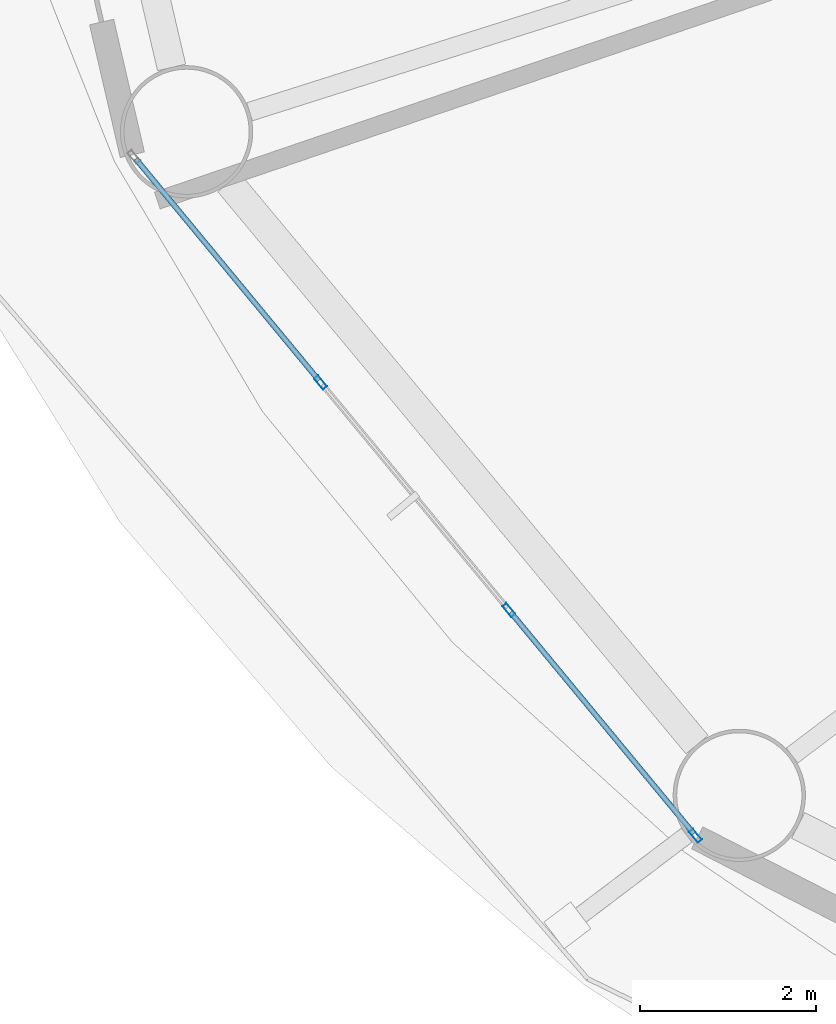
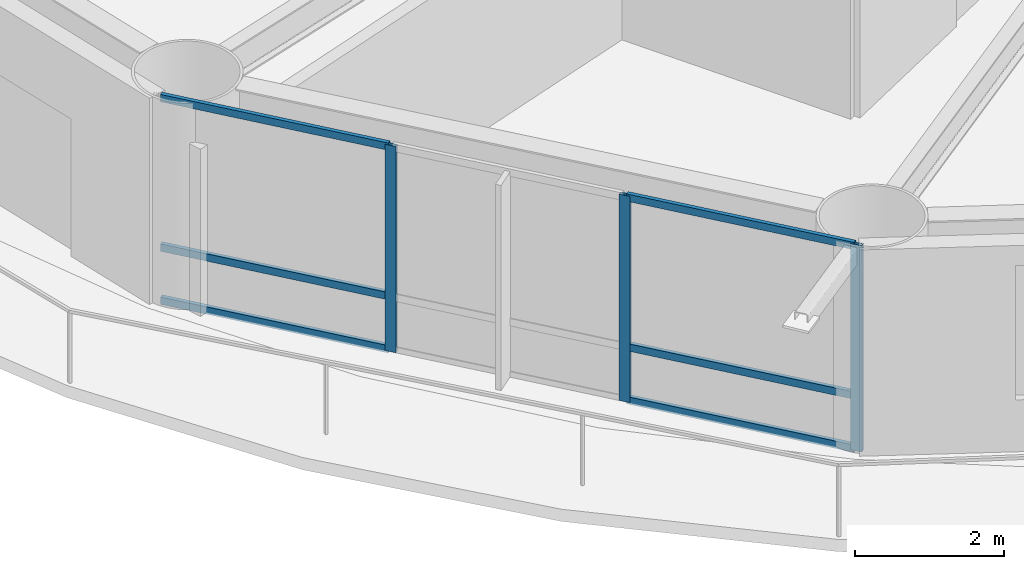
# One storey, part 2 of 28: 9 members, 1 element without a shape of its own.
"""IFC4 building model written with IfcOpenShell, lengths in metres."""

import ifcopenshell
import ifcopenshell.guid

model = None  # the IFC model being written
_history = None  # IfcOwnerHistory: only IFC2X3 demands one
_inside = {}  # id of a spatial element -> (the spatial element, [elements in it])
_under = {}  # id of a project, library or spatial element -> (it, [spatial elements below it])
_declared = {}  # id of a project -> (the project, [libraries it declares])
_typed = {}  # id of a type object -> (the type object, [elements of that type])
_made_of = {}  # id of a material, layer set ... -> (it, [elements and type objects made of it])


def new_model(schema):
    """Start an empty IFC model of exactly this schema.

    Asked for "IFC4X3", IfcOpenShell would pick the latest addendum, in which some entities
    have other attributes; the version numbers below select the first issue.
    IFC2X3 requires an IfcOwnerHistory on every rooted entity: one is made here for all.
    """
    global model, _history
    if schema == "IFC4X3":
        model = ifcopenshell.file(schema_version=(4, 3, 0, 0))
    else:
        model = ifcopenshell.file(schema=schema)
    _inside.clear()
    _under.clear()
    _declared.clear()
    _typed.clear()
    _made_of.clear()
    _history = None
    if model.schema == "IFC2X3":
        org = make("IfcOrganization", Name="unknown")
        user = make(
            "IfcPersonAndOrganization",
            ThePerson=make("IfcPerson", FamilyName="unknown"),
            TheOrganization=org,
        )
        app = make(
            "IfcApplication",
            ApplicationDeveloper=org,
            Version="unknown",
            ApplicationFullName="unknown",
            ApplicationIdentifier="unknown",
        )
        _history = make(
            "IfcOwnerHistory",
            OwningUser=user,
            OwningApplication=app,
            ChangeAction="ADDED",
            CreationDate=0,
        )
    return model


def make(cls, **values):
    """One entity of the class cls with the attributes given. An attribute that is None is left unset."""
    return model.create_entity(
        cls, **{name: value for name, value in values.items() if value is not None}
    )


def rooted(cls, **values):
    """An entity with a GlobalId (a new one), such as an element, a storey or a relation."""
    return make(cls, GlobalId=ifcopenshell.guid.new(), OwnerHistory=_history, **values)


def si_unit(unit_type, name, prefix=None):
    """IfcSIUnit, for example si_unit("LENGTHUNIT", "METRE", prefix="MILLI")."""
    return make("IfcSIUnit", UnitType=unit_type, Prefix=prefix, Name=name)


def assignment(units):
    """IfcUnitAssignment: the units of a project."""
    return None if units is None else make("IfcUnitAssignment", Units=units)


def point(xyz):
    """IfcCartesianPoint."""
    return None if xyz is None else make("IfcCartesianPoint", Coordinates=xyz)


def direction(xyz):
    """IfcDirection."""
    return None if xyz is None else make("IfcDirection", DirectionRatios=xyz)


def frame(location, z_axis=None, x_axis=None):
    """IfcAxis2Placement3D, a coordinate frame: its origin and axes. An axis left out is left unset."""
    return make(
        "IfcAxis2Placement3D",
        Location=point(location),
        Axis=direction(z_axis),
        RefDirection=direction(x_axis),
    )


def frame_2d(location, x_axis=None):
    """IfcAxis2Placement2D, a coordinate frame in the plane: its origin and x axis."""
    return make(
        "IfcAxis2Placement2D", Location=point(location), RefDirection=direction(x_axis)
    )


def origin():
    """The frame at (0, 0, 0) with its axes left unset."""
    return frame((0.0, 0.0, 0.0))


def origin_2d():
    """The frame at (0, 0) in the plane with its x axis left unset."""
    return frame_2d((0.0, 0.0))


def place(relative_to, where):
    """IfcLocalPlacement: puts the frame where relative to a parent placement (None: the world)."""
    return make(
        "IfcLocalPlacement", PlacementRelTo=relative_to, RelativePlacement=where
    )


def context(
    kind, dimensions, precision=None, world=None, true_north=None, identifier=None
):
    """IfcGeometricRepresentationContext, for example the 3D "Model" context."""
    return make(
        "IfcGeometricRepresentationContext",
        ContextIdentifier=identifier,
        ContextType=kind,
        CoordinateSpaceDimension=dimensions,
        Precision=precision,
        WorldCoordinateSystem=world,
        TrueNorth=true_north,
    )


def subcontext(parent, identifier, kind, view, scale=None):
    """IfcGeometricRepresentationSubContext, for example "Body" below "Model"."""
    return make(
        "IfcGeometricRepresentationSubContext",
        ContextIdentifier=identifier,
        ContextType=kind,
        ParentContext=parent,
        TargetScale=scale,
        TargetView=view,
    )


def project(units=None, contexts=None):
    """IfcProject with its units and contexts."""
    return rooted(
        "IfcProject",
        Name="project",
        RepresentationContexts=contexts,
        UnitsInContext=assignment(units),
    )


def spatial(cls, under=None, at=None, **own):
    """A site, building, storey or space (cls), placed at a placement, below another one or the project."""
    s = rooted(cls, ObjectPlacement=at, **own)
    if under is not None:
        _under.setdefault(under.id(), (under, []))[1].append(s)
    return s


def profile(cls, at=None, kind="AREA", **sizes):
    """A parametric profile (cls). Its sizes go by their IFC names, for example OverallWidth=200.0."""
    return make(cls, ProfileType=kind, Position=at, **sizes)


def hollow_rectangle(**sizes):
    """IfcRectangleHollowProfileDef."""
    return profile("IfcRectangleHollowProfileDef", **sizes)


def extrude(swept, where, along, depth):
    """IfcExtrudedAreaSolid: the profile swept, set in the frame where, extruded along a direction by depth."""
    return make(
        "IfcExtrudedAreaSolid",
        SweptArea=swept,
        Position=where,
        ExtrudedDirection=direction(along),
        Depth=depth,
    )


def shape(context_of_items, identifier, shape_type, items):
    """IfcShapeRepresentation: the items that make up one representation, for example the "Body"."""
    return make(
        "IfcShapeRepresentation",
        ContextOfItems=context_of_items,
        RepresentationIdentifier=identifier,
        RepresentationType=shape_type,
        Items=items,
    )


def material(Name=None, Category=None):
    """IfcMaterial."""
    return make("IfcMaterial", Name=Name, Category=Category)


def layer(
    of_material, thickness, ventilated=None, Name=None, Category=None, Priority=None
):
    """IfcMaterialLayer: one layer of a wall or slab, of a material (None: an air gap)."""
    return make(
        "IfcMaterialLayer",
        Material=of_material,
        LayerThickness=thickness,
        IsVentilated=ventilated,
        Name=Name,
        Category=Category,
        Priority=Priority,
    )


def layer_set(layers, Name=None):
    """IfcMaterialLayerSet."""
    return make("IfcMaterialLayerSet", MaterialLayers=layers, LayerSetName=Name)


def material_profile(
    of_material, cross_section, Name=None, Category=None, Priority=None
):
    """IfcMaterialProfile: a cross section and its material."""
    return make(
        "IfcMaterialProfile",
        Name=Name,
        Material=of_material,
        Profile=cross_section,
        Priority=Priority,
        Category=Category,
    )


def profile_set(profiles, Name=None, composite=None):
    """IfcMaterialProfileSet."""
    return make(
        "IfcMaterialProfileSet",
        Name=Name,
        MaterialProfiles=profiles,
        CompositeProfile=composite,
    )


def made_of(thing, what):
    """Note that an element or type object is made of a material, layer set ...; save() writes the relation."""
    if what is not None:
        _made_of.setdefault(what.id(), (what, []))[1].append(thing)
    return thing


def type_object(cls, material=None, **own):
    """A type object (cls), such as IfcWallType, which elements share."""
    return made_of(rooted(cls, **own), material)


def element(
    cls,
    number,
    at=None,
    inside=None,
    cuts=None,
    type_object=None,
    material=None,
    context=None,
    identifier="Body",
    shape_type=None,
    held_by="IfcProductDefinitionShape",
    body=None,
    shapes=None,
    **own,
):
    """One element of the class cls, such as IfcWall. Its Tag is "e" and its number.

    at: its placement. inside: the storey or other place that contains it. cuts: it is an
    opening in that element (IfcRelVoidsElement). A single representation is given by context,
    identifier, shape_type and body (its items); several are given by shapes. held_by: the class
    of the entity that holds the representations. save() writes the other relations.
    """
    e = rooted(cls, Tag="e%d" % number, ObjectPlacement=at, **own)
    if body is not None:
        shapes = [shape(context, identifier, shape_type, body)]
    if shapes is not None:
        e.Representation = make(held_by, Representations=shapes)
    if inside is not None:
        _inside.setdefault(inside.id(), (inside, []))[1].append(e)
    if cuts is not None:
        rooted(
            "IfcRelVoidsElement", RelatingBuildingElement=cuts, RelatedOpeningElement=e
        )
    if type_object is not None:
        _typed.setdefault(type_object.id(), (type_object, []))[1].append(e)
    return made_of(e, material)


def aggregate(whole, parts):
    """IfcRelAggregates: a whole, such as a stair, and the parts it consists of."""
    return rooted("IfcRelAggregates", RelatingObject=whole, RelatedObjects=parts)


def save(model, path):
    """Write the relations noted so far, then the file.

    IfcRelAggregates (storeys below a building ...), IfcRelContainedInSpatialStructure (elements
    in a storey), IfcRelDefinesByType, IfcRelAssociatesMaterial and IfcRelDeclares: one each for
    every whole, place, type object, material and project.
    """
    for whole, parts in _under.values():
        aggregate(whole, parts)
    for where, things in _inside.values():
        rooted(
            "IfcRelContainedInSpatialStructure",
            RelatedElements=things,
            RelatingStructure=where,
        )
    for kind, things in _typed.values():
        rooted("IfcRelDefinesByType", RelatedObjects=things, RelatingType=kind)
    for what, things in _made_of.values():
        rooted("IfcRelAssociatesMaterial", RelatedObjects=things, RelatingMaterial=what)
    for by, libraries in _declared.values():
        rooted("IfcRelDeclares", RelatingContext=by, RelatedDefinitions=libraries)
    model.write(path)


model = new_model("IFC4")

# Units and contexts
model_context = context("Model", 3, precision=1e-05, world=origin(), true_north=direction((0.0, 1.0)))
body_context = subcontext(model_context, "Body", "Model", "MODEL_VIEW")
ifc_project = project(units=[si_unit("LENGTHUNIT", "METRE"), si_unit("AREAUNIT", "SQUARE_METRE"), si_unit("VOLUMEUNIT", "CUBIC_METRE"), si_unit("PLANEANGLEUNIT", "RADIAN"), si_unit("MASSUNIT", "GRAM", prefix="KILO")], contexts=[model_context])

# Site, building, storey
site_placement = place(None, origin())
site = spatial("IfcSite", under=ifc_project, at=site_placement, CompositionType="ELEMENT")
building_placement = place(site_placement, origin())
building = spatial("IfcBuilding", under=site, at=building_placement, Name="Sarneth Arch Tower", CompositionType="ELEMENT")
storey_placement = place(building_placement, frame((0.0, 0.0, 31.800048828125)))
storey = spatial("IfcBuildingStorey", under=building, at=storey_placement, Name="L06", CompositionType="ELEMENT", Elevation=31.800048828125)

# Curtain wall, members
ifc_material_1 = material(Name="Anodised aluminium Type AA25 and solar-control low-e laminated IGU", Category="aluminium")
ifc_layer = layer(ifc_material_1, 0.159912109375)
ifc_layer_set = layer_set([ifc_layer], Name="Anodised aluminium Type AA25 and solar-control low-e laminated IGU")
curtain_wall_type = type_object("IfcCurtainWallType", Name="CW-HOTEL-LOW", PredefinedType="NOTDEFINED", material=ifc_layer_set)
curtain_wall_placement = place(storey_placement, origin())
curtain_wall = element("IfcCurtainWall", 1, at=curtain_wall_placement, inside=storey, type_object=curtain_wall_type, Name="L06 Unitised curtain wall facet 10", PredefinedType="NOTDEFINED")
ifc_material_2 = material(Name="Anodised Aluminium 6063-T6", Category="aluminium")
ifc_material_profile_1 = material_profile(ifc_material_2, hollow_rectangle(XDim=0.06005859375, YDim=0.159912109375, WallThickness=0.00390625, at=origin_2d()), Name="AL-MULL-160x60x4")
ifc_profile_set_1 = profile_set([ifc_material_profile_1], Name="Anodised Aluminium 6063-T6")
member_type_1 = type_object("IfcMemberType", Name="CW-MULLION", PredefinedType="MULLION", material=ifc_profile_set_1)
member_1_placement = place(storey_placement, frame((21.5546875, 30.279052734375, 0.0), z_axis=(0.0, 0.0, 1.0), x_axis=(0.770622960278, 0.637291340827, 0.0)))
member_1 = element("IfcMember", 2, at=member_1_placement, type_object=member_type_1, Name="CW-SYS-3 mullion 2", PredefinedType="MULLION", context=body_context, shape_type="SweptSolid", body=[
    extrude(hollow_rectangle(XDim=0.06005859375, YDim=0.159912109375, WallThickness=0.00390625, at=origin_2d()), origin(), (0.0, 0.0, 1.0), 3.3798828125),
])
member_2_placement = place(storey_placement, frame((23.690185546875, 27.69677734375, 0.0), z_axis=(0.0, 0.0, 1.0), x_axis=(0.770622960278, 0.637291340827, 0.0)))
member_2 = element("IfcMember", 3, at=member_2_placement, type_object=member_type_1, Name="CW-SYS-3 mullion 3", PredefinedType="MULLION", context=body_context, shape_type="SweptSolid", body=[
    extrude(hollow_rectangle(XDim=0.06005859375, YDim=0.159912109375, WallThickness=0.00390625, at=origin_2d()), origin(), (0.0, 0.0, 1.0), 3.3798828125),
])
member_3_placement = place(storey_placement, frame((25.806640625, 25.137451171875, 0.0), z_axis=(0.0, 0.0, 1.0), x_axis=(0.770622960278, 0.637291340827, 0.0)))
member_3 = element("IfcMember", 4, at=member_3_placement, type_object=member_type_1, Name="CW-SYS-3 mullion 4", PredefinedType="MULLION", context=body_context, shape_type="SweptSolid", body=[
    extrude(hollow_rectangle(XDim=0.06005859375, YDim=0.159912109375, WallThickness=0.00390625, at=origin_2d()), origin(), (0.0, 0.0, 1.0), 3.3798828125),
])
ifc_material_3 = material(Name="Anodised Aluminium 6063-T6", Category="aluminium")
ifc_material_profile_2 = material_profile(ifc_material_3, hollow_rectangle(XDim=0.06005859375, YDim=0.1201171875, WallThickness=0.00390625, at=origin_2d()), Name="AL-TRAN-120x60x4")
ifc_profile_set_2 = profile_set([ifc_material_profile_2], Name="Anodised Aluminium 6063-T6")
member_type_2 = type_object("IfcMemberType", Name="CW-TRANSOM", PredefinedType="USERDEFINED", material=ifc_profile_set_2)
member_4_placement = place(storey_placement, frame((19.457275390625, 32.815185546875, 0.030029296875), z_axis=(0.63733019572, -0.77059082633, 0.0), x_axis=(0.77059082633, 0.63733019572, 0.0)))
member_4 = element("IfcMember", 5, at=member_4_placement, type_object=member_type_2, Name="CW-SYS-3 transom 1.1", ObjectType="TRANSOM", PredefinedType="USERDEFINED", context=body_context, shape_type="SweptSolid", body=[
    extrude(hollow_rectangle(XDim=0.06005859375, YDim=0.1201171875, WallThickness=0.00390625, at=origin_2d()), origin(), (0.0, 0.0, 1.0), 3.260986328125),
])
member_5_placement = place(storey_placement, frame((19.457275390625, 32.815185546875, 0.89990234375), z_axis=(0.63733019572, -0.77059082633, 0.0), x_axis=(0.77059082633, 0.63733019572, 0.0)))
member_5 = element("IfcMember", 6, at=member_5_placement, type_object=member_type_2, Name="CW-SYS-3 transom 1.2", ObjectType="TRANSOM", PredefinedType="USERDEFINED", context=body_context, shape_type="SweptSolid", body=[
    extrude(hollow_rectangle(XDim=0.06005859375, YDim=0.1201171875, WallThickness=0.00390625, at=origin_2d()), origin(), (0.0, 0.0, 1.0), 3.260986328125),
])
member_6_placement = place(storey_placement, frame((19.457275390625, 32.815185546875, 3.349853515625), z_axis=(0.63733019572, -0.77059082633, 0.0), x_axis=(0.77059082633, 0.63733019572, 0.0)))
member_6 = element("IfcMember", 7, at=member_6_placement, type_object=member_type_2, Name="CW-SYS-3 transom 1.3", ObjectType="TRANSOM", PredefinedType="USERDEFINED", context=body_context, shape_type="SweptSolid", body=[
    extrude(hollow_rectangle(XDim=0.06005859375, YDim=0.1201171875, WallThickness=0.00390625, at=origin_2d()), origin(), (0.0, 0.0, 1.0), 3.260986328125),
])
member_7_placement = place(storey_placement, frame((23.70947265625, 27.673583984375, 0.030029296875), z_axis=(0.637285736625, -0.770627594817, 0.0), x_axis=(0.770627594817, 0.637285736625, 0.0)))
member_7 = element("IfcMember", 8, at=member_7_placement, type_object=member_type_2, Name="CW-SYS-3 transom 3.1", ObjectType="TRANSOM", PredefinedType="USERDEFINED", context=body_context, shape_type="SweptSolid", body=[
    extrude(hollow_rectangle(XDim=0.06005859375, YDim=0.1201171875, WallThickness=0.00390625, at=origin_2d()), origin(), (0.0, 0.0, 1.0), 3.260986328125),
])
member_8_placement = place(storey_placement, frame((23.70947265625, 27.673583984375, 0.89990234375), z_axis=(0.637285736625, -0.770627594817, 0.0), x_axis=(0.770627594817, 0.637285736625, 0.0)))
member_8 = element("IfcMember", 9, at=member_8_placement, type_object=member_type_2, Name="CW-SYS-3 transom 3.2", ObjectType="TRANSOM", PredefinedType="USERDEFINED", context=body_context, shape_type="SweptSolid", body=[
    extrude(hollow_rectangle(XDim=0.06005859375, YDim=0.1201171875, WallThickness=0.00390625, at=origin_2d()), origin(), (0.0, 0.0, 1.0), 3.260986328125),
])
member_9_placement = place(storey_placement, frame((23.70947265625, 27.673583984375, 3.349853515625), z_axis=(0.637285736625, -0.770627594817, 0.0), x_axis=(0.770627594817, 0.637285736625, 0.0)))
member_9 = element("IfcMember", 10, at=member_9_placement, type_object=member_type_2, Name="CW-SYS-3 transom 3.3", ObjectType="TRANSOM", PredefinedType="USERDEFINED", context=body_context, shape_type="SweptSolid", body=[
    extrude(hollow_rectangle(XDim=0.06005859375, YDim=0.1201171875, WallThickness=0.00390625, at=origin_2d()), origin(), (0.0, 0.0, 1.0), 3.260986328125),
])
aggregate(curtain_wall, [member_1, member_2, member_3, member_4, member_5, member_6, member_7, member_8, member_9])

save(model, "model.ifc")
